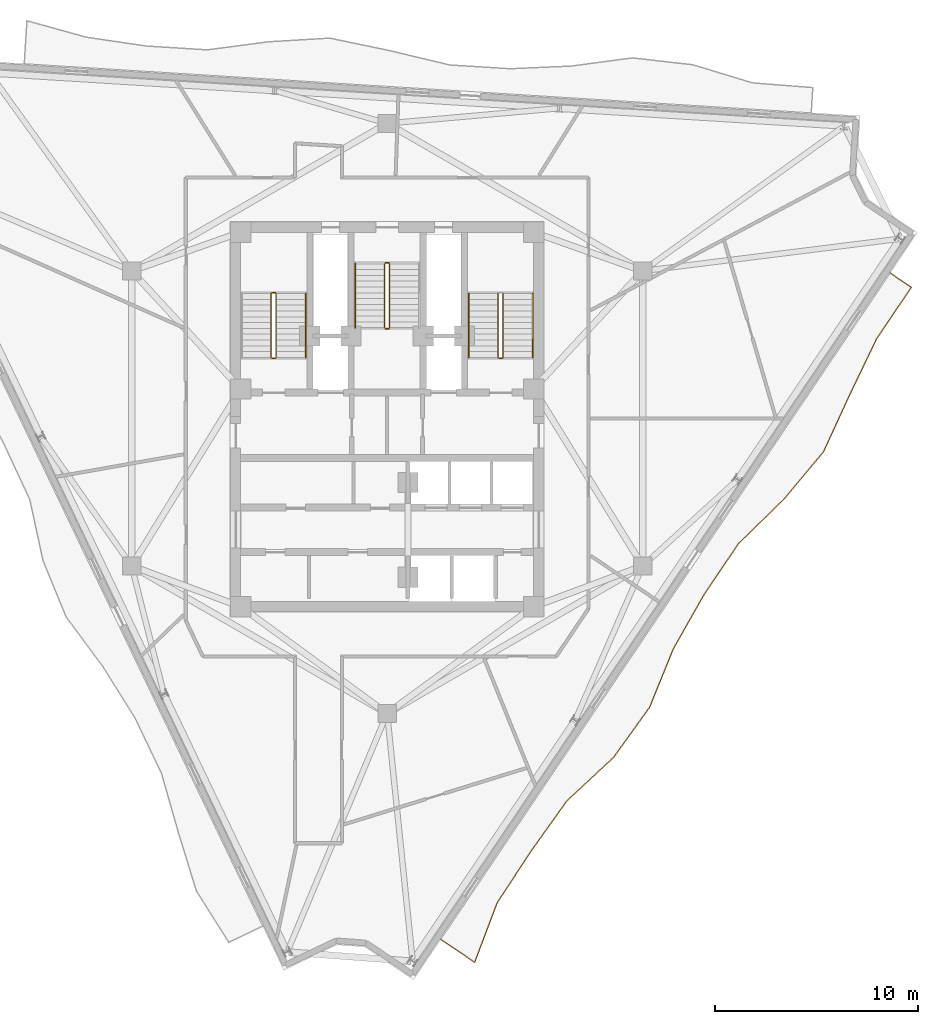
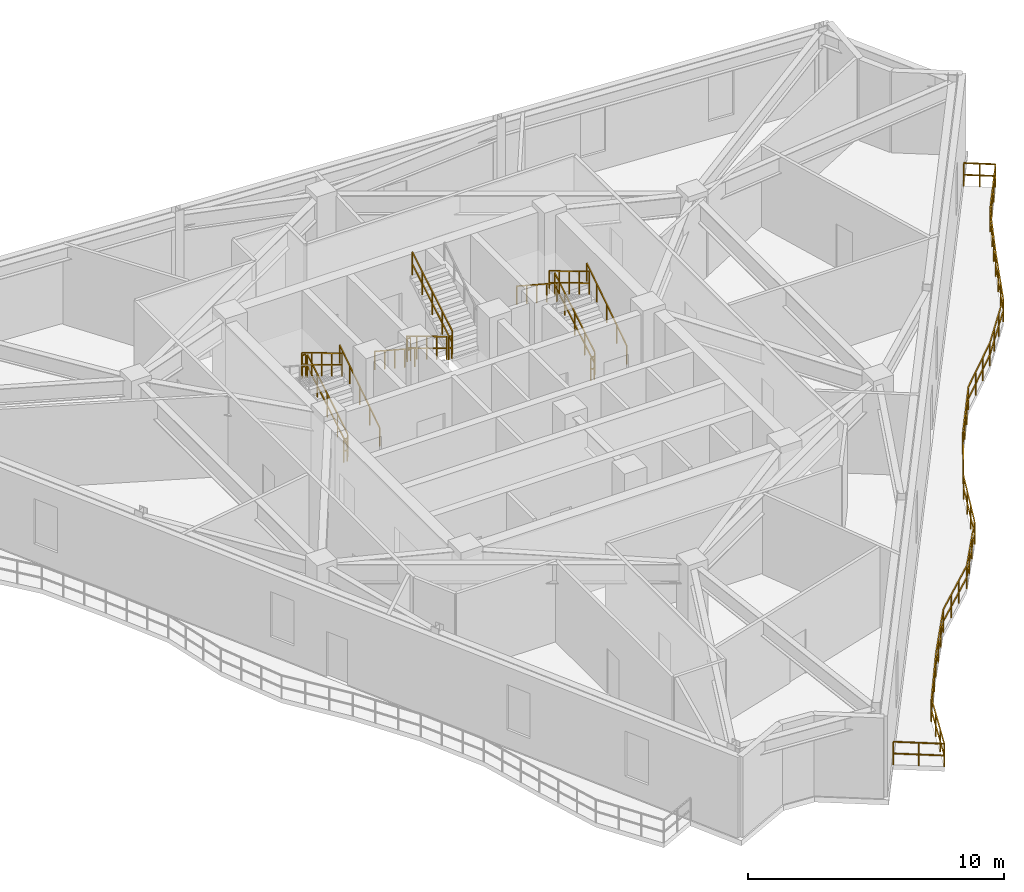
# One storey, part 10 of 11: 16 railings.
"""IFC4 building model written with IfcOpenShell, lengths in metres."""

from ifc_helpers import new_model, si_unit, direction, frame, origin, origin_2d, place, context, subcontext, project, spatial, rectangle, extrude, material, type_object, element, save


model = new_model("IFC4")

# Units and contexts
model_context = context("Model", 3, precision=1e-05, world=origin(), true_north=direction((0.0, 1.0)))
body_context = subcontext(model_context, "Body", "Model", "MODEL_VIEW")
ifc_project = project(units=[si_unit("LENGTHUNIT", "METRE"), si_unit("AREAUNIT", "SQUARE_METRE"), si_unit("VOLUMEUNIT", "CUBIC_METRE"), si_unit("PLANEANGLEUNIT", "RADIAN"), si_unit("MASSUNIT", "GRAM", prefix="KILO")], contexts=[model_context])

# Site, building, storey
site_placement = place(None, origin())
site = spatial("IfcSite", under=ifc_project, at=site_placement, CompositionType="ELEMENT")
building_placement = place(site_placement, origin())
building = spatial("IfcBuilding", under=site, at=building_placement, Name="Apsidion Concourse Tower", CompositionType="ELEMENT")
storey_placement = place(building_placement, frame((0.0, 0.0, 306.5)))
storey = spatial("IfcBuildingStorey", under=building, at=storey_placement, Name="L72", CompositionType="ELEMENT", Elevation=306.5)

# Railings
ifc_material = material(Name="Brushed stainless steel 316", Category="steel")
railing_type_1 = type_object("IfcRailingType", Name="RL-BAL-1120", PredefinedType="BALUSTRADE", material=ifc_material)
railing_1_placement = place(storey_placement, frame((24.735595703125, 7.147216796875, 0.0)))
element("IfcRailing", 1, at=railing_1_placement, inside=storey, type_object=railing_type_1, Name="L72 Face 2 Rippling Balcony Balustrade", PredefinedType="BALUSTRADE", context=body_context, shape_type="SweptSolid", body=[
    extrude(rectangle(XDim=0.048095703125, YDim=0.048095703125, at=origin_2d()), frame((0.0, 0.0, 1.09619140625), z_axis=(0.829002629562, -0.559244705098, 0.0), x_axis=(0.559244705098, 0.829002629562, 0.0)), (0.0, 0.0, 1.0), 1.249755859375),
    extrude(rectangle(XDim=0.048095703125, YDim=0.048095703125, at=origin_2d()), frame((0.0, 0.0, 0.5361328125), z_axis=(0.829002629562, -0.559244705098, 0.0), x_axis=(0.559244705098, 0.829002629562, 0.0)), (0.0, 0.0, 1.0), 1.249755859375),
    extrude(rectangle(XDim=0.048095703125, YDim=0.048095703125, at=origin_2d()), frame((1.0361328125, -0.698974609375, 1.09619140625), z_axis=(-0.559177617013, -0.829047883196, 0.0), x_axis=(0.829047883196, -0.559177617013, 0.0)), (0.0, 0.0, 1.0), 3.03955078125),
    extrude(rectangle(XDim=0.048095703125, YDim=0.048095703125, at=origin_2d()), frame((1.0361328125, -0.698974609375, 0.5361328125), z_axis=(-0.559177617013, -0.829047883196, 0.0), x_axis=(0.829047883196, -0.559177617013, 0.0)), (0.0, 0.0, 1.0), 3.03955078125),
    extrude(rectangle(XDim=0.048095703125, YDim=0.048095703125, at=origin_2d()), frame((-0.66357421875, -3.218994140625, 1.09619140625), z_axis=(-0.433810839247, -0.901003970997, 0.0), x_axis=(0.901003970997, -0.433810839247, 0.0)), (0.0, 0.0, 1.0), 3.07177734375),
    extrude(rectangle(XDim=0.048095703125, YDim=0.048095703125, at=origin_2d()), frame((-0.66357421875, -3.218994140625, 0.5361328125), z_axis=(-0.433810839247, -0.901003970997, 0.0), x_axis=(0.901003970997, -0.433810839247, 0.0)), (0.0, 0.0, 1.0), 3.07177734375),
    extrude(rectangle(XDim=0.048095703125, YDim=0.048095703125, at=origin_2d()), frame((-1.99609375, -5.986572265625, 1.09619140625), z_axis=(-0.417388734438, -0.908728036524, 0.0), x_axis=(0.908728036524, -0.417388734438, 0.0)), (0.0, 0.0, 1.0), 3.080322265625),
    extrude(rectangle(XDim=0.048095703125, YDim=0.048095703125, at=origin_2d()), frame((-1.99609375, -5.986572265625, 0.5361328125), z_axis=(-0.417388734438, -0.908728036524, 0.0), x_axis=(0.908728036524, -0.417388734438, 0.0)), (0.0, 0.0, 1.0), 3.080322265625),
    extrude(rectangle(XDim=0.048095703125, YDim=0.048095703125, at=origin_2d()), frame((-3.28173828125, -8.78564453125, 1.09619140625), z_axis=(-0.640946395505, -0.767585642186, 0.0), x_axis=(0.767585642186, -0.640946395505, 0.0)), (0.0, 0.0, 1.0), 3.0556640625),
    extrude(rectangle(XDim=0.048095703125, YDim=0.048095703125, at=origin_2d()), frame((-3.28173828125, -8.78564453125, 0.5361328125), z_axis=(-0.640946395505, -0.767585642186, 0.0), x_axis=(0.767585642186, -0.640946395505, 0.0)), (0.0, 0.0, 1.0), 3.0556640625),
    extrude(rectangle(XDim=0.048095703125, YDim=0.048095703125, at=origin_2d()), frame((-5.240234375, -11.131103515625, 1.09619140625), z_axis=(-0.715860568581, -0.69824325729, 0.0), x_axis=(0.69824325729, -0.715860568581, 0.0)), (0.0, 0.0, 1.0), 3.104248046875),
    extrude(rectangle(XDim=0.048095703125, YDim=0.048095703125, at=origin_2d()), frame((-5.240234375, -11.131103515625, 0.5361328125), z_axis=(-0.715860568581, -0.69824325729, 0.0), x_axis=(0.69824325729, -0.715860568581, 0.0)), (0.0, 0.0, 1.0), 3.104248046875),
    extrude(rectangle(XDim=0.048095703125, YDim=0.048095703125, at=origin_2d()), frame((-7.46240234375, -13.298583984375, 1.09619140625), z_axis=(-0.559177617013, -0.829047883196, 0.0), x_axis=(0.829047883196, -0.559177617013, 0.0)), (0.0, 0.0, 1.0), 3.03955078125),
    extrude(rectangle(XDim=0.048095703125, YDim=0.048095703125, at=origin_2d()), frame((-7.46240234375, -13.298583984375, 0.5361328125), z_axis=(-0.559177617013, -0.829047883196, 0.0), x_axis=(0.829047883196, -0.559177617013, 0.0)), (0.0, 0.0, 1.0), 3.03955078125),
    extrude(rectangle(XDim=0.048095703125, YDim=0.048095703125, at=origin_2d()), frame((-9.162109375, -15.818603515625, 1.09619140625), z_axis=(-0.492305264799, -0.870422613592, 0.0), x_axis=(0.870422613592, -0.492305264799, 0.0)), (0.0, 0.0, 1.0), 3.048828125),
    extrude(rectangle(XDim=0.048095703125, YDim=0.048095703125, at=origin_2d()), frame((-9.162109375, -15.818603515625, 0.5361328125), z_axis=(-0.492305264799, -0.870422613592, 0.0), x_axis=(0.870422613592, -0.492305264799, 0.0)), (0.0, 0.0, 1.0), 3.048828125),
    extrude(rectangle(XDim=0.048095703125, YDim=0.048095703125, at=origin_2d()), frame((-10.6630859375, -18.472412109375, 1.09619140625), z_axis=(-0.376412887508, -0.92645201609, 0.0), x_axis=(0.92645201609, -0.376412887508, 0.0)), (0.0, 0.0, 1.0), 3.106201171875),
    extrude(rectangle(XDim=0.048095703125, YDim=0.048095703125, at=origin_2d()), frame((-10.6630859375, -18.472412109375, 0.5361328125), z_axis=(-0.376412887508, -0.92645201609, 0.0), x_axis=(0.92645201609, -0.376412887508, 0.0)), (0.0, 0.0, 1.0), 3.106201171875),
    extrude(rectangle(XDim=0.048095703125, YDim=0.048095703125, at=origin_2d()), frame((-11.832275390625, -21.35009765625, 1.09619140625), z_axis=(-0.584044564955, -0.811721593988, 0.0), x_axis=(0.811721593988, -0.584044564955, 0.0)), (0.0, 0.0, 1.0), 3.041015625),
    extrude(rectangle(XDim=0.048095703125, YDim=0.048095703125, at=origin_2d()), frame((-11.832275390625, -21.35009765625, 0.5361328125), z_axis=(-0.584044564955, -0.811721593988, 0.0), x_axis=(0.811721593988, -0.584044564955, 0.0)), (0.0, 0.0, 1.0), 3.041015625),
    extrude(rectangle(XDim=0.048095703125, YDim=0.048095703125, at=origin_2d()), frame((-13.6083984375, -23.818603515625, 1.09619140625), z_axis=(-0.732676461391, -0.680577110197, 0.0), x_axis=(0.680577110197, -0.732676461391, 0.0)), (0.0, 0.0, 1.0), 3.120849609375),
    extrude(rectangle(XDim=0.048095703125, YDim=0.048095703125, at=origin_2d()), frame((-13.6083984375, -23.818603515625, 0.5361328125), z_axis=(-0.732676461391, -0.680577110197, 0.0), x_axis=(0.680577110197, -0.732676461391, 0.0)), (0.0, 0.0, 1.0), 3.120849609375),
    extrude(rectangle(XDim=0.048095703125, YDim=0.048095703125, at=origin_2d()), frame((-15.89501953125, -25.942626953125, 1.09619140625), z_axis=(-0.580660823962, -0.814145568996, 0.0), x_axis=(0.814145568996, -0.580660823962, 0.0)), (0.0, 0.0, 1.0), 3.040771484375),
    extrude(rectangle(XDim=0.048095703125, YDim=0.048095703125, at=origin_2d()), frame((-15.89501953125, -25.942626953125, 0.5361328125), z_axis=(-0.580660823962, -0.814145568996, 0.0), x_axis=(0.814145568996, -0.580660823962, 0.0)), (0.0, 0.0, 1.0), 3.040771484375),
    extrude(rectangle(XDim=0.048095703125, YDim=0.048095703125, at=origin_2d()), frame((-17.66064453125, -28.418212890625, 1.09619140625), z_axis=(-0.54769291143, -0.836679433695, 0.0), x_axis=(0.836679433695, -0.54769291143, 0.0)), (0.0, 0.0, 1.0), 3.03955078125),
    extrude(rectangle(XDim=0.048095703125, YDim=0.048095703125, at=origin_2d()), frame((-17.66064453125, -28.418212890625, 0.5361328125), z_axis=(-0.54769291143, -0.836679433695, 0.0), x_axis=(0.836679433695, -0.54769291143, 0.0)), (0.0, 0.0, 1.0), 3.03955078125),
    extrude(rectangle(XDim=0.048095703125, YDim=0.048095703125, at=origin_2d()), frame((-19.325439453125, -30.96142578125, 1.09619140625), z_axis=(-0.353709133124, -0.935355466732, 0.0), x_axis=(0.935355466732, -0.353709133124, 0.0)), (0.0, 0.0, 1.0), 3.123291015625),
    extrude(rectangle(XDim=0.048095703125, YDim=0.048095703125, at=origin_2d()), frame((-19.325439453125, -30.96142578125, 0.5361328125), z_axis=(-0.353709133124, -0.935355466732, 0.0), x_axis=(0.935355466732, -0.353709133124, 0.0)), (0.0, 0.0, 1.0), 3.123291015625),
    extrude(rectangle(XDim=0.048095703125, YDim=0.048095703125, at=origin_2d()), frame((-20.43017578125, -33.8828125, 1.09619140625), z_axis=(-0.829028905796, 0.559205752254, 0.0), x_axis=(-0.559205752254, -0.829028905796, 0.0)), (0.0, 0.0, 1.0), 2.009521484375),
    extrude(rectangle(XDim=0.048095703125, YDim=0.048095703125, at=origin_2d()), frame((-20.43017578125, -33.8828125, 0.5361328125), z_axis=(-0.829028905796, 0.559205752254, 0.0), x_axis=(-0.559205752254, -0.829028905796, 0.0)), (0.0, 0.0, 1.0), 2.009521484375),
    extrude(rectangle(XDim=0.0419921875, YDim=0.0419921875, at=origin_2d()), origin(), (0.0, 0.0, 1.0), 1.072021484375),
    extrude(rectangle(XDim=0.0419921875, YDim=0.0419921875, at=origin_2d()), frame((0.51806640625, -0.349609375, 0.0)), (0.0, 0.0, 1.0), 1.072021484375),
    extrude(rectangle(XDim=0.0419921875, YDim=0.0419921875, at=origin_2d()), frame((1.0361328125, -0.698974609375, 0.0)), (0.0, 0.0, 1.0), 1.072021484375),
    extrude(rectangle(XDim=0.0419921875, YDim=0.0419921875, at=origin_2d()), frame((0.469482421875, -1.5390625, 0.0)), (0.0, 0.0, 1.0), 1.072021484375),
    extrude(rectangle(XDim=0.0419921875, YDim=0.0419921875, at=origin_2d()), frame((-0.096923828125, -2.37890625, 0.0)), (0.0, 0.0, 1.0), 1.072021484375),
    extrude(rectangle(XDim=0.0419921875, YDim=0.0419921875, at=origin_2d()), frame((-0.66357421875, -3.218994140625, 0.0)), (0.0, 0.0, 1.0), 1.072021484375),
    extrude(rectangle(XDim=0.0419921875, YDim=0.0419921875, at=origin_2d()), frame((-1.107666015625, -4.1416015625, 0.0)), (0.0, 0.0, 1.0), 1.072021484375),
    extrude(rectangle(XDim=0.0419921875, YDim=0.0419921875, at=origin_2d()), frame((-1.552001953125, -5.06396484375, 0.0)), (0.0, 0.0, 1.0), 1.072021484375),
    extrude(rectangle(XDim=0.0419921875, YDim=0.0419921875, at=origin_2d()), frame((-1.99609375, -5.986572265625, 0.0)), (0.0, 0.0, 1.0), 1.072021484375),
    extrude(rectangle(XDim=0.0419921875, YDim=0.0419921875, at=origin_2d()), frame((-2.424560546875, -6.919677734375, 0.0)), (0.0, 0.0, 1.0), 1.072021484375),
    extrude(rectangle(XDim=0.0419921875, YDim=0.0419921875, at=origin_2d()), frame((-2.853271484375, -7.8525390625, 0.0)), (0.0, 0.0, 1.0), 1.072021484375),
    extrude(rectangle(XDim=0.0419921875, YDim=0.0419921875, at=origin_2d()), frame((-3.28173828125, -8.78564453125, 0.0)), (0.0, 0.0, 1.0), 1.072021484375),
    extrude(rectangle(XDim=0.0419921875, YDim=0.0419921875, at=origin_2d()), frame((-3.9345703125, -9.5673828125, 0.0)), (0.0, 0.0, 1.0), 1.072021484375),
    extrude(rectangle(XDim=0.0419921875, YDim=0.0419921875, at=origin_2d()), frame((-4.58740234375, -10.349365234375, 0.0)), (0.0, 0.0, 1.0), 1.072021484375),
    extrude(rectangle(XDim=0.0419921875, YDim=0.0419921875, at=origin_2d()), frame((-5.240234375, -11.131103515625, 0.0)), (0.0, 0.0, 1.0), 1.072021484375),
    extrude(rectangle(XDim=0.0419921875, YDim=0.0419921875, at=origin_2d()), frame((-5.98095703125, -11.853515625, 0.0)), (0.0, 0.0, 1.0), 1.072021484375),
    extrude(rectangle(XDim=0.0419921875, YDim=0.0419921875, at=origin_2d()), frame((-6.7216796875, -12.576171875, 0.0)), (0.0, 0.0, 1.0), 1.072021484375),
    extrude(rectangle(XDim=0.0419921875, YDim=0.0419921875, at=origin_2d()), frame((-7.46240234375, -13.298583984375, 0.0)), (0.0, 0.0, 1.0), 1.072021484375),
    extrude(rectangle(XDim=0.0419921875, YDim=0.0419921875, at=origin_2d()), frame((-8.029052734375, -14.138671875, 0.0)), (0.0, 0.0, 1.0), 1.072021484375),
    extrude(rectangle(XDim=0.0419921875, YDim=0.0419921875, at=origin_2d()), frame((-8.595458984375, -14.978515625, 0.0)), (0.0, 0.0, 1.0), 1.072021484375),
    extrude(rectangle(XDim=0.0419921875, YDim=0.0419921875, at=origin_2d()), frame((-9.162109375, -15.818603515625, 0.0)), (0.0, 0.0, 1.0), 1.072021484375),
    extrude(rectangle(XDim=0.0419921875, YDim=0.0419921875, at=origin_2d()), frame((-9.662353515625, -16.703125, 0.0)), (0.0, 0.0, 1.0), 1.072021484375),
    extrude(rectangle(XDim=0.0419921875, YDim=0.0419921875, at=origin_2d()), frame((-10.162841796875, -17.587890625, 0.0)), (0.0, 0.0, 1.0), 1.072021484375),
    extrude(rectangle(XDim=0.0419921875, YDim=0.0419921875, at=origin_2d()), frame((-10.6630859375, -18.472412109375, 0.0)), (0.0, 0.0, 1.0), 1.072021484375),
    extrude(rectangle(XDim=0.0419921875, YDim=0.0419921875, at=origin_2d()), frame((-11.052734375, -19.431640625, 0.0)), (0.0, 0.0, 1.0), 1.072021484375),
    extrude(rectangle(XDim=0.0419921875, YDim=0.0419921875, at=origin_2d()), frame((-11.442626953125, -20.390869140625, 0.0)), (0.0, 0.0, 1.0), 1.072021484375),
    extrude(rectangle(XDim=0.0419921875, YDim=0.0419921875, at=origin_2d()), frame((-11.832275390625, -21.35009765625, 0.0)), (0.0, 0.0, 1.0), 1.072021484375),
    extrude(rectangle(XDim=0.0419921875, YDim=0.0419921875, at=origin_2d()), frame((-12.42431640625, -22.1728515625, 0.0)), (0.0, 0.0, 1.0), 1.072021484375),
    extrude(rectangle(XDim=0.0419921875, YDim=0.0419921875, at=origin_2d()), frame((-13.016357421875, -22.995849609375, 0.0)), (0.0, 0.0, 1.0), 1.072021484375),
    extrude(rectangle(XDim=0.0419921875, YDim=0.0419921875, at=origin_2d()), frame((-13.6083984375, -23.818603515625, 0.0)), (0.0, 0.0, 1.0), 1.072021484375),
    extrude(rectangle(XDim=0.0419921875, YDim=0.0419921875, at=origin_2d()), frame((-14.37060546875, -24.526611328125, 0.0)), (0.0, 0.0, 1.0), 1.072021484375),
    extrude(rectangle(XDim=0.0419921875, YDim=0.0419921875, at=origin_2d()), frame((-15.1328125, -25.234619140625, 0.0)), (0.0, 0.0, 1.0), 1.072021484375),
    extrude(rectangle(XDim=0.0419921875, YDim=0.0419921875, at=origin_2d()), frame((-15.89501953125, -25.942626953125, 0.0)), (0.0, 0.0, 1.0), 1.072021484375),
    extrude(rectangle(XDim=0.0419921875, YDim=0.0419921875, at=origin_2d()), frame((-16.483642578125, -26.767822265625, 0.0)), (0.0, 0.0, 1.0), 1.072021484375),
    extrude(rectangle(XDim=0.0419921875, YDim=0.0419921875, at=origin_2d()), frame((-17.072021484375, -27.593017578125, 0.0)), (0.0, 0.0, 1.0), 1.072021484375),
    extrude(rectangle(XDim=0.0419921875, YDim=0.0419921875, at=origin_2d()), frame((-17.66064453125, -28.418212890625, 0.0)), (0.0, 0.0, 1.0), 1.072021484375),
    extrude(rectangle(XDim=0.0419921875, YDim=0.0419921875, at=origin_2d()), frame((-18.215576171875, -29.265869140625, 0.0)), (0.0, 0.0, 1.0), 1.072021484375),
    extrude(rectangle(XDim=0.0419921875, YDim=0.0419921875, at=origin_2d()), frame((-18.7705078125, -30.11376953125, 0.0)), (0.0, 0.0, 1.0), 1.072021484375),
    extrude(rectangle(XDim=0.0419921875, YDim=0.0419921875, at=origin_2d()), frame((-19.325439453125, -30.96142578125, 0.0)), (0.0, 0.0, 1.0), 1.072021484375),
    extrude(rectangle(XDim=0.0419921875, YDim=0.0419921875, at=origin_2d()), frame((-19.693603515625, -31.935302734375, 0.0)), (0.0, 0.0, 1.0), 1.072021484375),
    extrude(rectangle(XDim=0.0419921875, YDim=0.0419921875, at=origin_2d()), frame((-20.06201171875, -32.908935546875, 0.0)), (0.0, 0.0, 1.0), 1.072021484375),
    extrude(rectangle(XDim=0.0419921875, YDim=0.0419921875, at=origin_2d()), frame((-20.43017578125, -33.8828125, 0.0)), (0.0, 0.0, 1.0), 1.072021484375),
    extrude(rectangle(XDim=0.0419921875, YDim=0.0419921875, at=origin_2d()), frame((-21.26318359375, -33.32080078125, 0.0)), (0.0, 0.0, 1.0), 1.072021484375),
    extrude(rectangle(XDim=0.0419921875, YDim=0.0419921875, at=origin_2d()), frame((-22.09619140625, -32.759033203125, 0.0)), (0.0, 0.0, 1.0), 1.072021484375),
])
railing_type_2 = type_object("IfcRailingType", Name="RL-GUARD-1100", PredefinedType="GUARDRAIL", material=ifc_material)
railing_2_placement = place(storey_placement, frame((-5.449951171875, 3.0, 0.1708984375)))
element("IfcRailing", 2, at=railing_2_placement, inside=storey, type_object=railing_type_2, Name="L72 ST1 stair guard 1", PredefinedType="GUARDRAIL", context=body_context, shape_type="SweptSolid", body=[
    extrude(rectangle(XDim=0.048095703125, YDim=0.048095703125, at=origin_2d()), frame((0.0, 0.0, 1.09619140625), z_axis=(0.0, 0.857716804754, 0.514122439544), x_axis=(-1.0, 0.0, 0.0)), (0.0, 0.0, 1.0), 3.655029296875),
    extrude(rectangle(XDim=0.048095703125, YDim=0.048095703125, at=origin_2d()), frame((0.0, 0.0, 0.5361328125), z_axis=(0.0, 0.857716804754, 0.514122439544), x_axis=(-1.0, 0.0, 0.0)), (0.0, 0.0, 1.0), 3.655029296875),
    extrude(rectangle(XDim=0.0419921875, YDim=0.0419921875, at=origin_2d()), origin(), (0.0, 0.0, 1.0), 1.072021484375),
    extrude(rectangle(XDim=0.0419921875, YDim=0.0419921875, at=origin_2d()), frame((0.0, 0.78369140625, 0.4697265625)), (0.0, 0.0, 1.0), 1.072021484375),
    extrude(rectangle(XDim=0.0419921875, YDim=0.0419921875, at=origin_2d()), frame((0.0, 1.5673828125, 0.939453125)), (0.0, 0.0, 1.0), 1.072021484375),
    extrude(rectangle(XDim=0.0419921875, YDim=0.0419921875, at=origin_2d()), frame((0.0, 2.351318359375, 1.409423828125)), (0.0, 0.0, 1.0), 1.072021484375),
    extrude(rectangle(XDim=0.0419921875, YDim=0.0419921875, at=origin_2d()), frame((0.0, 3.135009765625, 1.879150390625)), (0.0, 0.0, 1.0), 1.072021484375),
])
railing_3_placement = place(storey_placement, frame((-5.5, 6.18505859375, 2.050048828125)))
element("IfcRailing", 3, at=railing_3_placement, inside=storey, type_object=railing_type_2, Name="L72 ST1 stair guard 2", PredefinedType="GUARDRAIL", context=body_context, shape_type="SweptSolid", body=[
    extrude(rectangle(XDim=0.048095703125, YDim=0.048095703125, at=origin_2d()), frame((0.0, 0.0, 1.09619140625), z_axis=(-1.0, 0.0, 0.0), x_axis=(0.0, -1.0, 0.0)), (0.0, 0.0, 1.0), 0.14990234375),
    extrude(rectangle(XDim=0.048095703125, YDim=0.048095703125, at=origin_2d()), frame((0.0, 0.0, 0.5361328125), z_axis=(-1.0, 0.0, 0.0), x_axis=(0.0, -1.0, 0.0)), (0.0, 0.0, 1.0), 0.14990234375),
    extrude(rectangle(XDim=0.0419921875, YDim=0.0419921875, at=origin_2d()), origin(), (0.0, 0.0, 1.0), 1.072021484375),
    extrude(rectangle(XDim=0.0419921875, YDim=0.0419921875, at=origin_2d()), frame((-0.14990234375, 0.0, 0.0)), (0.0, 0.0, 1.0), 1.072021484375),
])
railing_4_placement = place(storey_placement, frame((-5.699951171875, 6.135009765625, 2.220947265625)))
element("IfcRailing", 4, at=railing_4_placement, inside=storey, type_object=railing_type_2, Name="L72 ST1 stair guard 3", PredefinedType="GUARDRAIL", context=body_context, shape_type="SweptSolid", body=[
    extrude(rectangle(XDim=0.048095703125, YDim=0.048095703125, at=origin_2d()), frame((0.0, 0.0, 1.09619140625), z_axis=(0.0, -0.857716804754, 0.514122439544), x_axis=(1.0, 0.0, 0.0)), (0.0, 0.0, 1.0), 3.655029296875),
    extrude(rectangle(XDim=0.048095703125, YDim=0.048095703125, at=origin_2d()), frame((0.0, 0.0, 0.5361328125), z_axis=(0.0, -0.857716804754, 0.514122439544), x_axis=(1.0, 0.0, 0.0)), (0.0, 0.0, 1.0), 3.655029296875),
    extrude(rectangle(XDim=0.0419921875, YDim=0.0419921875, at=origin_2d()), origin(), (0.0, 0.0, 1.0), 1.072021484375),
    extrude(rectangle(XDim=0.0419921875, YDim=0.0419921875, at=origin_2d()), frame((0.0, -0.78369140625, 0.4697265625)), (0.0, 0.0, 1.0), 1.072021484375),
    extrude(rectangle(XDim=0.0419921875, YDim=0.0419921875, at=origin_2d()), frame((0.0, -1.5673828125, 0.939453125)), (0.0, 0.0, 1.0), 1.072021484375),
    extrude(rectangle(XDim=0.0419921875, YDim=0.0419921875, at=origin_2d()), frame((0.0, -2.351318359375, 1.409423828125)), (0.0, 0.0, 1.0), 1.072021484375),
    extrude(rectangle(XDim=0.0419921875, YDim=0.0419921875, at=origin_2d()), frame((0.0, -3.135009765625, 1.879150390625)), (0.0, 0.0, 1.0), 1.072021484375),
])
railing_5_placement = place(storey_placement, frame((-5.5, 2.949951171875, 0.0)))
element("IfcRailing", 5, at=railing_5_placement, inside=storey, type_object=railing_type_2, Name="L72 ST1 stair guard 4", PredefinedType="GUARDRAIL", context=body_context, shape_type="SweptSolid", body=[
    extrude(rectangle(XDim=0.048095703125, YDim=0.048095703125, at=origin_2d()), frame((0.0, 0.0, 1.09619140625), z_axis=(-1.0, 0.0, 0.0), x_axis=(0.0, -1.0, 0.0)), (0.0, 0.0, 1.0), 0.14990234375),
    extrude(rectangle(XDim=0.048095703125, YDim=0.048095703125, at=origin_2d()), frame((0.0, 0.0, 0.5361328125), z_axis=(-1.0, 0.0, 0.0), x_axis=(0.0, -1.0, 0.0)), (0.0, 0.0, 1.0), 0.14990234375),
    extrude(rectangle(XDim=0.0419921875, YDim=0.0419921875, at=origin_2d()), origin(), (0.0, 0.0, 1.0), 1.072021484375),
    extrude(rectangle(XDim=0.0419921875, YDim=0.0419921875, at=origin_2d()), frame((-0.14990234375, 0.0, 0.0)), (0.0, 0.0, 1.0), 1.072021484375),
])
railing_6_placement = place(storey_placement, frame((5.699951171875, 3.0, 0.1708984375)))
element("IfcRailing", 6, at=railing_6_placement, inside=storey, type_object=railing_type_2, Name="L72 ST2 stair guard 1", PredefinedType="GUARDRAIL", context=body_context, shape_type="SweptSolid", body=[
    extrude(rectangle(XDim=0.048095703125, YDim=0.048095703125, at=origin_2d()), frame((0.0, 0.0, 1.09619140625), z_axis=(0.0, 0.857716804754, 0.514122439544), x_axis=(-1.0, 0.0, 0.0)), (0.0, 0.0, 1.0), 3.655029296875),
    extrude(rectangle(XDim=0.048095703125, YDim=0.048095703125, at=origin_2d()), frame((0.0, 0.0, 0.5361328125), z_axis=(0.0, 0.857716804754, 0.514122439544), x_axis=(-1.0, 0.0, 0.0)), (0.0, 0.0, 1.0), 3.655029296875),
    extrude(rectangle(XDim=0.0419921875, YDim=0.0419921875, at=origin_2d()), origin(), (0.0, 0.0, 1.0), 1.072021484375),
    extrude(rectangle(XDim=0.0419921875, YDim=0.0419921875, at=origin_2d()), frame((0.0, 0.78369140625, 0.4697265625)), (0.0, 0.0, 1.0), 1.072021484375),
    extrude(rectangle(XDim=0.0419921875, YDim=0.0419921875, at=origin_2d()), frame((0.0, 1.5673828125, 0.939453125)), (0.0, 0.0, 1.0), 1.072021484375),
    extrude(rectangle(XDim=0.0419921875, YDim=0.0419921875, at=origin_2d()), frame((0.0, 2.351318359375, 1.409423828125)), (0.0, 0.0, 1.0), 1.072021484375),
    extrude(rectangle(XDim=0.0419921875, YDim=0.0419921875, at=origin_2d()), frame((0.0, 3.135009765625, 1.879150390625)), (0.0, 0.0, 1.0), 1.072021484375),
])
railing_7_placement = place(storey_placement, frame((5.449951171875, 6.135009765625, 2.220947265625)))
element("IfcRailing", 7, at=railing_7_placement, inside=storey, type_object=railing_type_2, Name="L72 ST2 stair guard 3", PredefinedType="GUARDRAIL", context=body_context, shape_type="SweptSolid", body=[
    extrude(rectangle(XDim=0.048095703125, YDim=0.048095703125, at=origin_2d()), frame((0.0, 0.0, 1.09619140625), z_axis=(0.0, -0.857716804754, 0.514122439544), x_axis=(1.0, 0.0, 0.0)), (0.0, 0.0, 1.0), 3.655029296875),
    extrude(rectangle(XDim=0.048095703125, YDim=0.048095703125, at=origin_2d()), frame((0.0, 0.0, 0.5361328125), z_axis=(0.0, -0.857716804754, 0.514122439544), x_axis=(1.0, 0.0, 0.0)), (0.0, 0.0, 1.0), 3.655029296875),
    extrude(rectangle(XDim=0.0419921875, YDim=0.0419921875, at=origin_2d()), origin(), (0.0, 0.0, 1.0), 1.072021484375),
    extrude(rectangle(XDim=0.0419921875, YDim=0.0419921875, at=origin_2d()), frame((0.0, -0.78369140625, 0.4697265625)), (0.0, 0.0, 1.0), 1.072021484375),
    extrude(rectangle(XDim=0.0419921875, YDim=0.0419921875, at=origin_2d()), frame((0.0, -1.5673828125, 0.939453125)), (0.0, 0.0, 1.0), 1.072021484375),
    extrude(rectangle(XDim=0.0419921875, YDim=0.0419921875, at=origin_2d()), frame((0.0, -2.351318359375, 1.409423828125)), (0.0, 0.0, 1.0), 1.072021484375),
    extrude(rectangle(XDim=0.0419921875, YDim=0.0419921875, at=origin_2d()), frame((0.0, -3.135009765625, 1.879150390625)), (0.0, 0.0, 1.0), 1.072021484375),
])
railing_8_placement = place(storey_placement, frame((5.64990234375, 2.949951171875, 0.0)))
element("IfcRailing", 8, at=railing_8_placement, inside=storey, type_object=railing_type_2, Name="L72 ST2 stair guard 4", PredefinedType="GUARDRAIL", context=body_context, shape_type="SweptSolid", body=[
    extrude(rectangle(XDim=0.048095703125, YDim=0.048095703125, at=origin_2d()), frame((0.0, 0.0, 1.09619140625), z_axis=(-1.0, 0.0, 0.0), x_axis=(0.0, -1.0, 0.0)), (0.0, 0.0, 1.0), 0.14990234375),
    extrude(rectangle(XDim=0.048095703125, YDim=0.048095703125, at=origin_2d()), frame((0.0, 0.0, 0.5361328125), z_axis=(-1.0, 0.0, 0.0), x_axis=(0.0, -1.0, 0.0)), (0.0, 0.0, 1.0), 0.14990234375),
    extrude(rectangle(XDim=0.0419921875, YDim=0.0419921875, at=origin_2d()), origin(), (0.0, 0.0, 1.0), 1.072021484375),
    extrude(rectangle(XDim=0.0419921875, YDim=0.0419921875, at=origin_2d()), frame((-0.14990234375, 0.0, 0.0)), (0.0, 0.0, 1.0), 1.072021484375),
])
railing_9_placement = place(storey_placement, frame((-0.125, 7.60009765625, 0.1708984375)))
element("IfcRailing", 9, at=railing_9_placement, inside=storey, type_object=railing_type_2, Name="L72 ST3 stair guard 1", PredefinedType="GUARDRAIL", context=body_context, shape_type="SweptSolid", body=[
    extrude(rectangle(XDim=0.048095703125, YDim=0.048095703125, at=origin_2d()), frame((0.0, 0.0, 1.09619140625), z_axis=(0.0, -0.857716804754, 0.514122439544), x_axis=(1.0, 0.0, 0.0)), (0.0, 0.0, 1.0), 3.655029296875),
    extrude(rectangle(XDim=0.048095703125, YDim=0.048095703125, at=origin_2d()), frame((0.0, 0.0, 0.5361328125), z_axis=(0.0, -0.857716804754, 0.514122439544), x_axis=(1.0, 0.0, 0.0)), (0.0, 0.0, 1.0), 3.655029296875),
    extrude(rectangle(XDim=0.0419921875, YDim=0.0419921875, at=origin_2d()), origin(), (0.0, 0.0, 1.0), 1.072021484375),
    extrude(rectangle(XDim=0.0419921875, YDim=0.0419921875, at=origin_2d()), frame((0.0, -0.78369140625, 0.4697265625)), (0.0, 0.0, 1.0), 1.072021484375),
    extrude(rectangle(XDim=0.0419921875, YDim=0.0419921875, at=origin_2d()), frame((0.0, -1.5673828125, 0.939453125)), (0.0, 0.0, 1.0), 1.072021484375),
    extrude(rectangle(XDim=0.0419921875, YDim=0.0419921875, at=origin_2d()), frame((0.0, -2.351318359375, 1.409423828125)), (0.0, 0.0, 1.0), 1.072021484375),
    extrude(rectangle(XDim=0.0419921875, YDim=0.0419921875, at=origin_2d()), frame((0.0, -3.135009765625, 1.879150390625)), (0.0, 0.0, 1.0), 1.072021484375),
])
railing_10_placement = place(storey_placement, frame((-0.074951171875, 4.4150390625, 2.050048828125)))
element("IfcRailing", 10, at=railing_10_placement, inside=storey, type_object=railing_type_2, Name="L72 ST3 stair guard 2", PredefinedType="GUARDRAIL", context=body_context, shape_type="SweptSolid", body=[
    extrude(rectangle(XDim=0.048095703125, YDim=0.048095703125, at=origin_2d()), frame((0.0, 0.0, 1.09619140625), z_axis=(1.0, 0.0, 0.0), x_axis=(0.0, 1.0, 0.0)), (0.0, 0.0, 1.0), 0.14990234375),
    extrude(rectangle(XDim=0.048095703125, YDim=0.048095703125, at=origin_2d()), frame((0.0, 0.0, 0.5361328125), z_axis=(1.0, 0.0, 0.0), x_axis=(0.0, 1.0, 0.0)), (0.0, 0.0, 1.0), 0.14990234375),
    extrude(rectangle(XDim=0.0419921875, YDim=0.0419921875, at=origin_2d()), origin(), (0.0, 0.0, 1.0), 1.072021484375),
    extrude(rectangle(XDim=0.0419921875, YDim=0.0419921875, at=origin_2d()), frame((0.14990234375, 0.0, 0.0)), (0.0, 0.0, 1.0), 1.072021484375),
])
railing_11_placement = place(storey_placement, frame((0.125, 4.465087890625, 2.220947265625)))
element("IfcRailing", 11, at=railing_11_placement, inside=storey, type_object=railing_type_2, Name="L72 ST3 stair guard 3", PredefinedType="GUARDRAIL", context=body_context, shape_type="SweptSolid", body=[
    extrude(rectangle(XDim=0.048095703125, YDim=0.048095703125, at=origin_2d()), frame((0.0, 0.0, 1.09619140625), z_axis=(0.0, 0.857716804754, 0.514122439544), x_axis=(-1.0, 0.0, 0.0)), (0.0, 0.0, 1.0), 3.655029296875),
    extrude(rectangle(XDim=0.048095703125, YDim=0.048095703125, at=origin_2d()), frame((0.0, 0.0, 0.5361328125), z_axis=(0.0, 0.857716804754, 0.514122439544), x_axis=(-1.0, 0.0, 0.0)), (0.0, 0.0, 1.0), 3.655029296875),
    extrude(rectangle(XDim=0.0419921875, YDim=0.0419921875, at=origin_2d()), origin(), (0.0, 0.0, 1.0), 1.072021484375),
    extrude(rectangle(XDim=0.0419921875, YDim=0.0419921875, at=origin_2d()), frame((0.0, 0.78369140625, 0.4697265625)), (0.0, 0.0, 1.0), 1.072021484375),
    extrude(rectangle(XDim=0.0419921875, YDim=0.0419921875, at=origin_2d()), frame((0.0, 1.5673828125, 0.939453125)), (0.0, 0.0, 1.0), 1.072021484375),
    extrude(rectangle(XDim=0.0419921875, YDim=0.0419921875, at=origin_2d()), frame((0.0, 2.351318359375, 1.409423828125)), (0.0, 0.0, 1.0), 1.072021484375),
    extrude(rectangle(XDim=0.0419921875, YDim=0.0419921875, at=origin_2d()), frame((0.0, 3.135009765625, 1.879150390625)), (0.0, 0.0, 1.0), 1.072021484375),
])
railing_12_placement = place(storey_placement, frame((-0.074951171875, 7.64990234375, 0.0)))
element("IfcRailing", 12, at=railing_12_placement, inside=storey, type_object=railing_type_2, Name="L72 ST3 stair guard 4", PredefinedType="GUARDRAIL", context=body_context, shape_type="SweptSolid", body=[
    extrude(rectangle(XDim=0.048095703125, YDim=0.048095703125, at=origin_2d()), frame((0.0, 0.0, 1.09619140625), z_axis=(1.0, 0.0, 0.0), x_axis=(0.0, 1.0, 0.0)), (0.0, 0.0, 1.0), 0.14990234375),
    extrude(rectangle(XDim=0.048095703125, YDim=0.048095703125, at=origin_2d()), frame((0.0, 0.0, 0.5361328125), z_axis=(1.0, 0.0, 0.0), x_axis=(0.0, 1.0, 0.0)), (0.0, 0.0, 1.0), 0.14990234375),
    extrude(rectangle(XDim=0.0419921875, YDim=0.0419921875, at=origin_2d()), origin(), (0.0, 0.0, 1.0), 1.072021484375),
    extrude(rectangle(XDim=0.0419921875, YDim=0.0419921875, at=origin_2d()), frame((0.14990234375, 0.0, 0.0)), (0.0, 0.0, 1.0), 1.072021484375),
])
railing_type_3 = type_object("IfcRailingType", Name="RL-HAND-900", PredefinedType="HANDRAIL", material=ifc_material)
for number, where, name in (
    (13, (-4.0, 3.0, 0.1708984375), "L72 ST1 stair handrail 1"),
    (14, (7.14990234375, 3.0, 0.1708984375), "L72 ST2 stair handrail 1"),
):
    element("IfcRailing", number, at=place(storey_placement, frame(where)), inside=storey, type_object=railing_type_3, Name=name, PredefinedType="HANDRAIL", context=body_context, shape_type="SweptSolid", body=[
        extrude(rectangle(XDim=0.048095703125, YDim=0.048095703125, at=origin_2d()), frame((0.0, 0.0, 0.8759765625), z_axis=(0.0, 0.836940907821, 0.547293263996), x_axis=(-1.0, 0.0, 0.0)), (0.0, 0.0, 1.0), 3.745849609375),
        extrude(rectangle(XDim=0.0419921875, YDim=0.0419921875, at=origin_2d()), origin(), (0.0, 0.0, 1.0), 0.851806640625),
        extrude(rectangle(XDim=0.0419921875, YDim=0.0419921875, at=origin_2d()), frame((0.0, 0.78369140625, 0.512451171875)), (0.0, 0.0, 1.0), 0.851806640625),
        extrude(rectangle(XDim=0.0419921875, YDim=0.0419921875, at=origin_2d()), frame((0.0, 1.5673828125, 1.02490234375)), (0.0, 0.0, 1.0), 0.851806640625),
        extrude(rectangle(XDim=0.0419921875, YDim=0.0419921875, at=origin_2d()), frame((0.0, 2.351318359375, 1.53759765625)), (0.0, 0.0, 1.0), 0.851806640625),
        extrude(rectangle(XDim=0.0419921875, YDim=0.0419921875, at=origin_2d()), frame((0.0, 3.135009765625, 2.050048828125)), (0.0, 0.0, 1.0), 0.851806640625),
    ])
railing_13_placement = place(storey_placement, frame((4.0, 6.135009765625, 2.220947265625)))
element("IfcRailing", 15, at=railing_13_placement, inside=storey, type_object=railing_type_3, Name="L72 ST2 stair handrail 2", PredefinedType="HANDRAIL", context=body_context, shape_type="SweptSolid", body=[
    extrude(rectangle(XDim=0.048095703125, YDim=0.048095703125, at=origin_2d()), frame((0.0, 0.0, 0.8759765625), z_axis=(0.0, -0.836970762213, 0.547247606848), x_axis=(1.0, 0.0, 0.0)), (0.0, 0.0, 1.0), 3.74560546875),
    extrude(rectangle(XDim=0.0419921875, YDim=0.0419921875, at=origin_2d()), origin(), (0.0, 0.0, 1.0), 0.851806640625),
    extrude(rectangle(XDim=0.0419921875, YDim=0.0419921875, at=origin_2d()), frame((0.0, -0.78369140625, 0.512451171875)), (0.0, 0.0, 1.0), 0.851806640625),
    extrude(rectangle(XDim=0.0419921875, YDim=0.0419921875, at=origin_2d()), frame((0.0, -1.5673828125, 1.02490234375)), (0.0, 0.0, 1.0), 0.851806640625),
    extrude(rectangle(XDim=0.0419921875, YDim=0.0419921875, at=origin_2d()), frame((0.0, -2.351318359375, 1.537353515625)), (0.0, 0.0, 1.0), 0.851806640625),
    extrude(rectangle(XDim=0.0419921875, YDim=0.0419921875, at=origin_2d()), frame((0.0, -3.135009765625, 2.0498046875)), (0.0, 0.0, 1.0), 0.851806640625),
])
railing_14_placement = place(storey_placement, frame((-1.574951171875, 7.60009765625, 0.1708984375)))
element("IfcRailing", 16, at=railing_14_placement, inside=storey, type_object=railing_type_3, Name="L72 ST3 stair handrail 1", PredefinedType="HANDRAIL", context=body_context, shape_type="SweptSolid", body=[
    extrude(rectangle(XDim=0.048095703125, YDim=0.048095703125, at=origin_2d()), frame((0.0, 0.0, 0.8759765625), z_axis=(0.0, -0.836940907821, 0.547293263996), x_axis=(1.0, 0.0, 0.0)), (0.0, 0.0, 1.0), 3.745849609375),
    extrude(rectangle(XDim=0.0419921875, YDim=0.0419921875, at=origin_2d()), origin(), (0.0, 0.0, 1.0), 0.851806640625),
    extrude(rectangle(XDim=0.0419921875, YDim=0.0419921875, at=origin_2d()), frame((0.0, -0.78369140625, 0.512451171875)), (0.0, 0.0, 1.0), 0.851806640625),
    extrude(rectangle(XDim=0.0419921875, YDim=0.0419921875, at=origin_2d()), frame((0.0, -1.5673828125, 1.02490234375)), (0.0, 0.0, 1.0), 0.851806640625),
    extrude(rectangle(XDim=0.0419921875, YDim=0.0419921875, at=origin_2d()), frame((0.0, -2.351318359375, 1.53759765625)), (0.0, 0.0, 1.0), 0.851806640625),
    extrude(rectangle(XDim=0.0419921875, YDim=0.0419921875, at=origin_2d()), frame((0.0, -3.135009765625, 2.050048828125)), (0.0, 0.0, 1.0), 0.851806640625),
])

save(model, "model.ifc")
